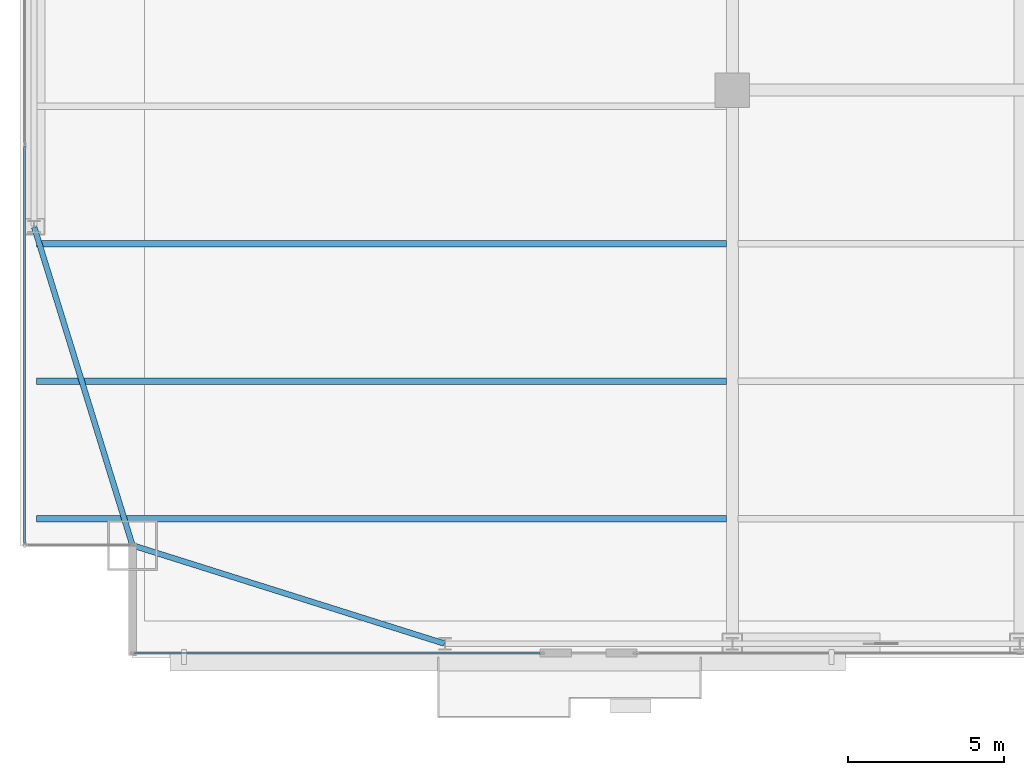
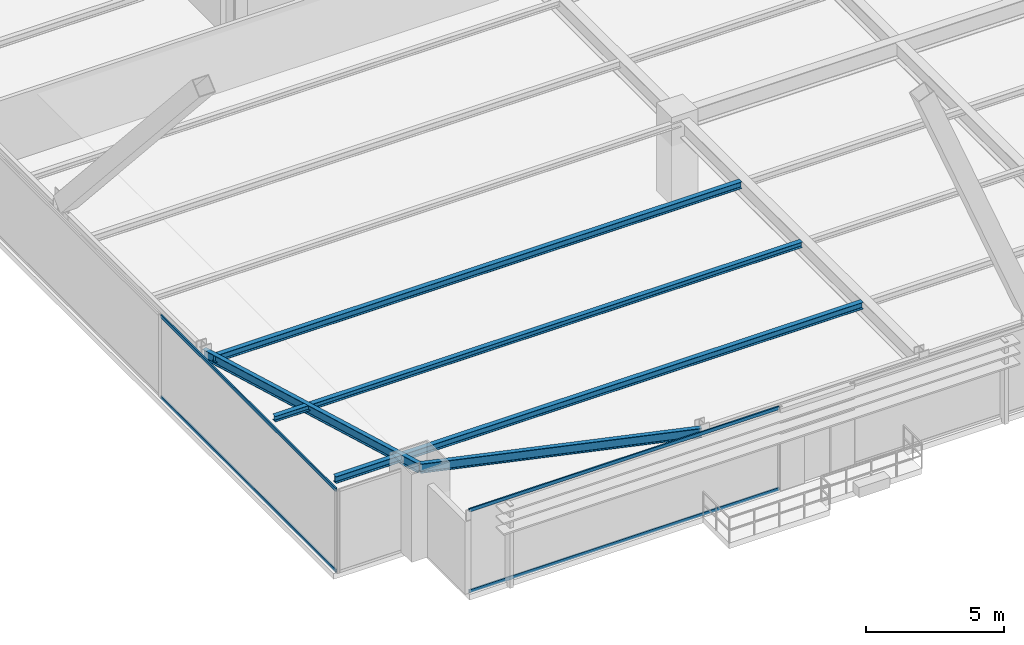
# One storey, part 4 of 35: 5 beams, 4 members, 2 elements without a shape of their own.
"""IFC4 building model written with IfcOpenShell, lengths in metres."""

from ifc_helpers import new_model, si_unit, direction, frame, origin, origin_2d, place, context, subcontext, project, spatial, hollow_rectangle, i_section, extrude, source, transform, mapped, material, layer, layer_set, material_profile, profile_set, type_object, type_shapes, element, aggregate, save


model = new_model("IFC4")

# Units and contexts
model_context = context("Model", 3, precision=1e-05, world=origin(), true_north=direction((0.0, 1.0)))
body_context = subcontext(model_context, "Body", "Model", "MODEL_VIEW")
ifc_project = project(units=[si_unit("LENGTHUNIT", "METRE"), si_unit("AREAUNIT", "SQUARE_METRE"), si_unit("VOLUMEUNIT", "CUBIC_METRE"), si_unit("PLANEANGLEUNIT", "RADIAN"), si_unit("MASSUNIT", "GRAM", prefix="KILO")], contexts=[model_context])

# Site, building, storey
site_placement = place(None, origin())
site = spatial("IfcSite", under=ifc_project, at=site_placement, CompositionType="ELEMENT")
building_placement = place(site_placement, origin())
building = spatial("IfcBuilding", under=site, at=building_placement, Name="Varnel Quay Broadcast Tower", CompositionType="ELEMENT")
storey_placement = place(building_placement, frame((0.0, 0.0, 66.60009765625)))
storey = spatial("IfcBuildingStorey", under=building, at=storey_placement, Name="L15", CompositionType="ELEMENT", Elevation=66.60009765625)

# Beams
ifc_material_1 = material(Name="Structural Steel CSA G40.21 350W", Category="steel")
ifc_material_profile_1 = material_profile(ifc_material_1, i_section(OverallWidth=0.180908203125, OverallDepth=0.4169921875, WebThickness=0.010986328125, FlangeThickness=0.018310546875, FilletRadius=0.011962890625, at=origin_2d()), Name="W410X85")
ifc_profile_set_1 = profile_set([ifc_material_profile_1], Name="Structural Steel CSA G40.21 350W")
beam_type_1 = type_object("IfcBeamType", Name="Beam_W410X85", PredefinedType="SPANDREL", material=ifc_profile_set_1)
shared_shape_1 = source(origin(), body_context, "Body", "SweptSolid", [
    extrude(i_section(OverallWidth=0.180908203125, OverallDepth=0.4169921875, WebThickness=0.010986328125, FlangeThickness=0.018310546875, FilletRadius=0.011962890625, at=origin_2d()), origin(), (0.0, 0.0, 1.0), 10.444091796875),
])
beam_1_placement = place(storey_placement, frame((5.619140625, 4.7939453125, 3.44140625), z_axis=(0.953798277271, -0.300447743003, 0.0), x_axis=(0.300447743003, 0.953798277271, 0.0)))
element("IfcBeam", 1, at=beam_1_placement, inside=storey, type_object=beam_type_1, Name="L15 South Spandrel MC-SW-TC-S1", PredefinedType="SPANDREL", context=body_context, shape_type="MappedRepresentation", body=[
    mapped(shared_shape_1, transform((0.0, 0.0, 0.0), x_axis=(1.0, 0.0, 0.0), y_axis=(0.0, 1.0, 0.0), z_axis=(0.0, 0.0, 1.0), scale=1.0)),
])
shared_shape_2 = source(origin(), body_context, "Body", "SweptSolid", [
    extrude(i_section(OverallWidth=0.180908203125, OverallDepth=0.4169921875, WebThickness=0.010986328125, FlangeThickness=0.018310546875, FilletRadius=0.011962890625, at=origin_2d()), origin(), (0.0, 0.0, 1.0), 10.635498046875),
])
type_shapes(beam_type_1, [shared_shape_1, shared_shape_2])
beam_2_placement = place(storey_placement, frame((5.593994140625, 4.819091796875, 3.44140625), z_axis=(-0.295069676324, 0.955475738108, 0.0), x_axis=(-0.955475738108, -0.295069676324, 0.0)))
element("IfcBeam", 2, at=beam_2_placement, inside=storey, type_object=beam_type_1, Name="L15 West Spandrel MC-SW-TC-W1", PredefinedType="SPANDREL", context=body_context, shape_type="MappedRepresentation", body=[
    mapped(shared_shape_2, transform((0.0, 0.0, 0.0), x_axis=(1.0, 0.0, 0.0), y_axis=(0.0, 1.0, 0.0), z_axis=(0.0, 0.0, 1.0), scale=1.0)),
])
ifc_material_profile_2 = material_profile(ifc_material_1, i_section(OverallWidth=0.202880859375, OverallDepth=0.302978515625, WebThickness=0.007568359375, FlangeThickness=0.01318359375, FilletRadius=0.011962890625, at=origin_2d()), Name="W310X60")
ifc_profile_set_2 = profile_set([ifc_material_profile_2], Name="Structural Steel CSA G40.21 350W")
beam_type_2 = type_object("IfcBeamType", Name="Beam_W310X60", PredefinedType="JOIST", material=ifc_profile_set_2)
shared_shape_3 = source(origin(), body_context, "Body", "SweptSolid", [
    extrude(i_section(OverallWidth=0.202880859375, OverallDepth=0.302978515625, WebThickness=0.007568359375, FlangeThickness=0.01318359375, FilletRadius=0.011962890625, at=origin_2d()), origin(), (0.0, 0.0, 1.0), 22.0791015625),
])
type_shapes(beam_type_2, [shared_shape_3])
for number, where, z_axis, x_axis, name in (
    (3, (2.535400390625, 5.64990234375, 3.498291015625), (1.0, 0.0, 0.0), (0.0, 1.0, 0.0), "L15 West Floor Joist 1"),
    (4, (2.535400390625, 14.449951171875, 3.498291015625), (1.0, 0.0, 0.0), (0.0, 1.0, 0.0), "L15 West Floor Joist 3"),
):
    element("IfcBeam", number, at=place(storey_placement, frame(where, z_axis=z_axis, x_axis=x_axis)), inside=storey, type_object=beam_type_2, Name=name, PredefinedType="JOIST", context=body_context, shape_type="MappedRepresentation", body=[
        mapped(shared_shape_3, transform((0.0, 0.0, 0.0), x_axis=(1.0, 0.0, 0.0), y_axis=(0.0, 1.0, 0.0), z_axis=(0.0, 0.0, 1.0), scale=1.0)),
    ])
ifc_material_profile_3 = material_profile(ifc_material_1, i_section(OverallWidth=0.201904296875, OverallDepth=0.2470703125, WebThickness=0.00732421875, FlangeThickness=0.010986328125, FilletRadius=0.010986328125, at=origin_2d()), Name="W250X49")
ifc_profile_set_3 = profile_set([ifc_material_profile_3], Name="Structural Steel CSA G40.21 350W")
beam_type_3 = type_object("IfcBeamType", Name="Beam_W250X49", PredefinedType="JOIST", material=ifc_profile_set_3)
shared_shape_4 = source(origin(), body_context, "Body", "SweptSolid", [
    extrude(i_section(OverallWidth=0.201904296875, OverallDepth=0.2470703125, WebThickness=0.00732421875, FlangeThickness=0.010986328125, FilletRadius=0.010986328125, at=origin_2d()), origin(), (0.0, 0.0, 1.0), 22.0791015625),
])
type_shapes(beam_type_3, [shared_shape_4])
beam_3_placement = place(storey_placement, frame((2.535400390625, 10.050048828125, 3.5263671875), z_axis=(1.0, 0.0, 0.0), x_axis=(0.0, 1.0, 0.0)))
element("IfcBeam", 5, at=beam_3_placement, inside=storey, type_object=beam_type_3, Name="L15 West Floor Joist 2", PredefinedType="JOIST", context=body_context, shape_type="MappedRepresentation", body=[
    mapped(shared_shape_4, transform((0.0, 0.0, 0.0), x_axis=(1.0, 0.0, 0.0), y_axis=(0.0, 1.0, 0.0), z_axis=(0.0, 0.0, 1.0), scale=1.0)),
])

# Curtain wall, members
ifc_material_2 = material(Name="Anodised Bronze Aluminium 6063-T6", Category="aluminium")
ifc_layer = layer(ifc_material_2, 0.18994140625, Name="Anodised Bronze Aluminium 6063-T6")
ifc_layer_set = layer_set([ifc_layer], Name="Anodised Bronze Aluminium 6063-T6")
curtain_wall_type = type_object("IfcCurtainWallType", Name="CW_LowerTower", PredefinedType="NOTDEFINED", material=ifc_layer_set)
curtain_wall_1_placement = place(storey_placement, origin())
curtain_wall_1 = element("IfcCurtainWall", 6, at=curtain_wall_1_placement, inside=storey, type_object=curtain_wall_type, Name="L15 South Unitised Curtain Wall 1", PredefinedType="NOTDEFINED")
ifc_material_profile_4 = material_profile(ifc_material_2, hollow_rectangle(XDim=0.06005859375, YDim=0.14501953125, WallThickness=0.00341796875, at=origin_2d()), Name="ALU60X145X3.5")
ifc_profile_set_4 = profile_set([ifc_material_profile_4], Name="Anodised Bronze Aluminium 6063-T6")
member_type = type_object("IfcMemberType", Name="Tran_CWS-02", PredefinedType="USERDEFINED", material=ifc_profile_set_4)
shared_shape_5 = source(origin(), body_context, "Body", "SweptSolid", [
    extrude(hollow_rectangle(XDim=0.06005859375, YDim=0.14501953125, WallThickness=0.00341796875, at=origin_2d()), origin(), (0.0, 0.0, 1.0), 12.97998046875),
])
member_1_placement = place(storey_placement, frame((5.669921875, 1.35009765625, 0.02978515625), z_axis=(1.0, 0.0, 0.0), x_axis=(0.0, 1.0, 0.0)))
member_1 = element("IfcMember", 7, at=member_1_placement, type_object=member_type, Name="CWS-02 transom 1.1", ObjectType="TRANSOM", PredefinedType="USERDEFINED", context=body_context, shape_type="MappedRepresentation", body=[
    mapped(shared_shape_5, transform((0.0, 0.0, 0.0), x_axis=(1.0, 0.0, 0.0), y_axis=(0.0, 1.0, 0.0), z_axis=(0.0, 0.0, 1.0), scale=1.0)),
])
member_2_placement = place(storey_placement, frame((5.669921875, 1.35009765625, 3.619873046875), z_axis=(1.0, 0.0, 0.0), x_axis=(0.0, 1.0, 0.0)))
member_2 = element("IfcMember", 8, at=member_2_placement, type_object=member_type, Name="CWS-02 transom 1.2", ObjectType="TRANSOM", PredefinedType="USERDEFINED", context=body_context, shape_type="MappedRepresentation", body=[
    mapped(shared_shape_5, transform((0.0, 0.0, 0.0), x_axis=(1.0, 0.0, 0.0), y_axis=(0.0, 1.0, 0.0), z_axis=(0.0, 0.0, 1.0), scale=1.0)),
])
aggregate(curtain_wall_1, [member_1, member_2])

curtain_wall_2_placement = place(storey_placement, origin())
curtain_wall_2 = element("IfcCurtainWall", 9, at=curtain_wall_2_placement, inside=storey, type_object=curtain_wall_type, Name="L15 West Unitised Curtain Wall", PredefinedType="NOTDEFINED")
shared_shape_6 = source(origin(), body_context, "Body", "SweptSolid", [
    extrude(hollow_rectangle(XDim=0.06005859375, YDim=0.14501953125, WallThickness=0.00341796875, at=origin_2d()), origin(), (0.0, 0.0, 1.0), 12.69482421875),
])
type_shapes(member_type, [shared_shape_5, shared_shape_6])
member_3_placement = place(storey_placement, frame((2.14990234375, 4.8701171875, 0.02978515625), z_axis=(0.0, 1.0, 0.0), x_axis=(-1.0, 0.0, 0.0)))
member_3 = element("IfcMember", 10, at=member_3_placement, type_object=member_type, Name="CWS-02 transom 1.1", ObjectType="TRANSOM", PredefinedType="USERDEFINED", context=body_context, shape_type="MappedRepresentation", body=[
    mapped(shared_shape_6, transform((0.0, 0.0, 0.0), x_axis=(1.0, 0.0, 0.0), y_axis=(0.0, 1.0, 0.0), z_axis=(0.0, 0.0, 1.0), scale=1.0)),
])
member_4_placement = place(storey_placement, frame((2.14990234375, 4.8701171875, 3.619873046875), z_axis=(0.0, 1.0, 0.0), x_axis=(-1.0, 0.0, 0.0)))
member_4 = element("IfcMember", 11, at=member_4_placement, type_object=member_type, Name="CWS-02 transom 1.2", ObjectType="TRANSOM", PredefinedType="USERDEFINED", context=body_context, shape_type="MappedRepresentation", body=[
    mapped(shared_shape_6, transform((0.0, 0.0, 0.0), x_axis=(1.0, 0.0, 0.0), y_axis=(0.0, 1.0, 0.0), z_axis=(0.0, 0.0, 1.0), scale=1.0)),
])
aggregate(curtain_wall_2, [member_3, member_4])

save(model, "model.ifc")
